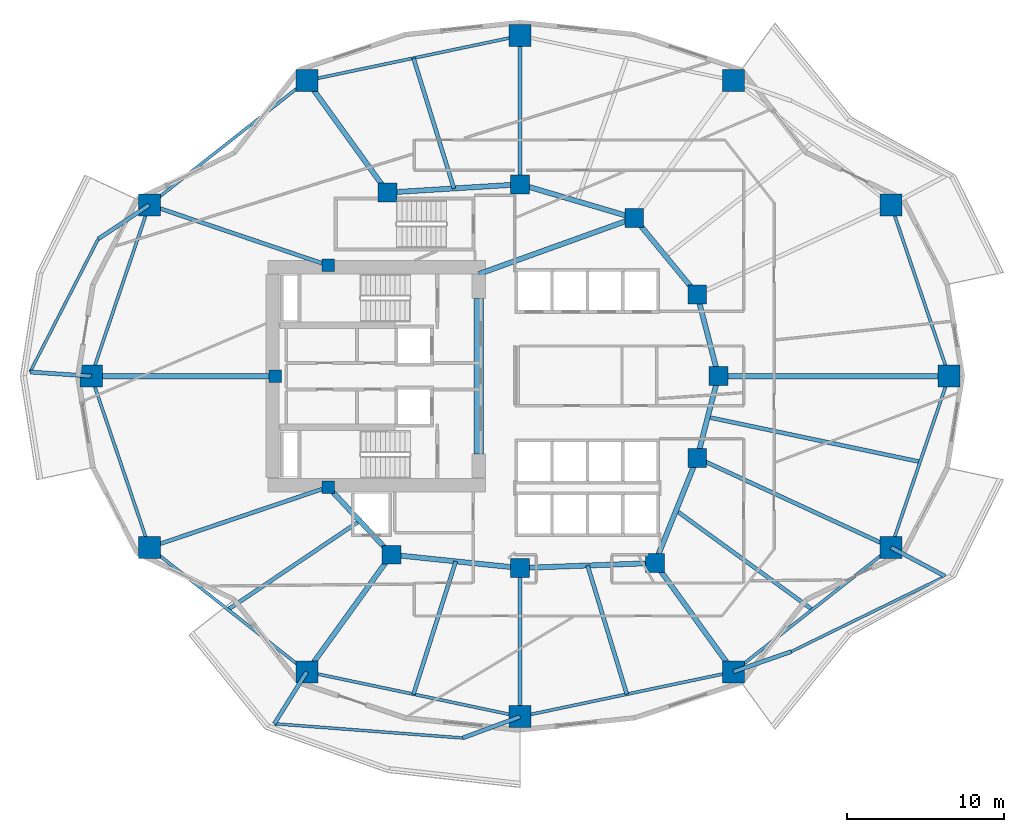
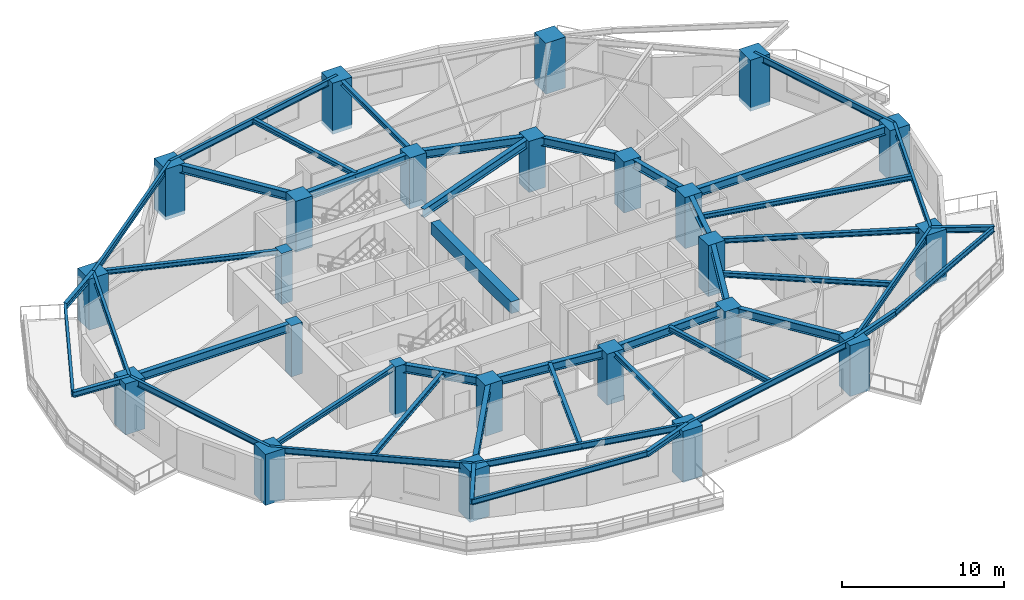
# One storey, part 1 of 14: 46 beams, 24 columns.
"""IFC4 building model written with IfcOpenShell, lengths in metres."""

import ifcopenshell
import ifcopenshell.guid

model = None  # the IFC model being written
_history = None  # IfcOwnerHistory: only IFC2X3 demands one
_inside = {}  # id of a spatial element -> (the spatial element, [elements in it])
_under = {}  # id of a project, library or spatial element -> (it, [spatial elements below it])
_declared = {}  # id of a project -> (the project, [libraries it declares])
_typed = {}  # id of a type object -> (the type object, [elements of that type])
_made_of = {}  # id of a material, layer set ... -> (it, [elements and type objects made of it])


def new_model(schema):
    """Start an empty IFC model of exactly this schema.

    Asked for "IFC4X3", IfcOpenShell would pick the latest addendum, in which some entities
    have other attributes; the version numbers below select the first issue.
    IFC2X3 requires an IfcOwnerHistory on every rooted entity: one is made here for all.
    """
    global model, _history
    if schema == "IFC4X3":
        model = ifcopenshell.file(schema_version=(4, 3, 0, 0))
    else:
        model = ifcopenshell.file(schema=schema)
    _inside.clear()
    _under.clear()
    _declared.clear()
    _typed.clear()
    _made_of.clear()
    _history = None
    if model.schema == "IFC2X3":
        org = make("IfcOrganization", Name="unknown")
        user = make(
            "IfcPersonAndOrganization",
            ThePerson=make("IfcPerson", FamilyName="unknown"),
            TheOrganization=org,
        )
        app = make(
            "IfcApplication",
            ApplicationDeveloper=org,
            Version="unknown",
            ApplicationFullName="unknown",
            ApplicationIdentifier="unknown",
        )
        _history = make(
            "IfcOwnerHistory",
            OwningUser=user,
            OwningApplication=app,
            ChangeAction="ADDED",
            CreationDate=0,
        )
    return model


def make(cls, **values):
    """One entity of the class cls with the attributes given. An attribute that is None is left unset."""
    return model.create_entity(
        cls, **{name: value for name, value in values.items() if value is not None}
    )


def rooted(cls, **values):
    """An entity with a GlobalId (a new one), such as an element, a storey or a relation."""
    return make(cls, GlobalId=ifcopenshell.guid.new(), OwnerHistory=_history, **values)


def si_unit(unit_type, name, prefix=None):
    """IfcSIUnit, for example si_unit("LENGTHUNIT", "METRE", prefix="MILLI")."""
    return make("IfcSIUnit", UnitType=unit_type, Prefix=prefix, Name=name)


def assignment(units):
    """IfcUnitAssignment: the units of a project."""
    return None if units is None else make("IfcUnitAssignment", Units=units)


def point(xyz):
    """IfcCartesianPoint."""
    return None if xyz is None else make("IfcCartesianPoint", Coordinates=xyz)


def direction(xyz):
    """IfcDirection."""
    return None if xyz is None else make("IfcDirection", DirectionRatios=xyz)


def frame(location, z_axis=None, x_axis=None):
    """IfcAxis2Placement3D, a coordinate frame: its origin and axes. An axis left out is left unset."""
    return make(
        "IfcAxis2Placement3D",
        Location=point(location),
        Axis=direction(z_axis),
        RefDirection=direction(x_axis),
    )


def frame_2d(location, x_axis=None):
    """IfcAxis2Placement2D, a coordinate frame in the plane: its origin and x axis."""
    return make(
        "IfcAxis2Placement2D", Location=point(location), RefDirection=direction(x_axis)
    )


def origin():
    """The frame at (0, 0, 0) with its axes left unset."""
    return frame((0.0, 0.0, 0.0))


def origin_2d():
    """The frame at (0, 0) in the plane with its x axis left unset."""
    return frame_2d((0.0, 0.0))


def place(relative_to, where):
    """IfcLocalPlacement: puts the frame where relative to a parent placement (None: the world)."""
    return make(
        "IfcLocalPlacement", PlacementRelTo=relative_to, RelativePlacement=where
    )


def context(
    kind, dimensions, precision=None, world=None, true_north=None, identifier=None
):
    """IfcGeometricRepresentationContext, for example the 3D "Model" context."""
    return make(
        "IfcGeometricRepresentationContext",
        ContextIdentifier=identifier,
        ContextType=kind,
        CoordinateSpaceDimension=dimensions,
        Precision=precision,
        WorldCoordinateSystem=world,
        TrueNorth=true_north,
    )


def subcontext(parent, identifier, kind, view, scale=None):
    """IfcGeometricRepresentationSubContext, for example "Body" below "Model"."""
    return make(
        "IfcGeometricRepresentationSubContext",
        ContextIdentifier=identifier,
        ContextType=kind,
        ParentContext=parent,
        TargetScale=scale,
        TargetView=view,
    )


def project(units=None, contexts=None):
    """IfcProject with its units and contexts."""
    return rooted(
        "IfcProject",
        Name="project",
        RepresentationContexts=contexts,
        UnitsInContext=assignment(units),
    )


def spatial(cls, under=None, at=None, **own):
    """A site, building, storey or space (cls), placed at a placement, below another one or the project."""
    s = rooted(cls, ObjectPlacement=at, **own)
    if under is not None:
        _under.setdefault(under.id(), (under, []))[1].append(s)
    return s


def profile(cls, at=None, kind="AREA", **sizes):
    """A parametric profile (cls). Its sizes go by their IFC names, for example OverallWidth=200.0."""
    return make(cls, ProfileType=kind, Position=at, **sizes)


def rectangle(**sizes):
    """IfcRectangleProfileDef."""
    return profile("IfcRectangleProfileDef", **sizes)


def i_section(**sizes):
    """IfcIShapeProfileDef."""
    return profile("IfcIShapeProfileDef", **sizes)


def extrude(swept, where, along, depth):
    """IfcExtrudedAreaSolid: the profile swept, set in the frame where, extruded along a direction by depth."""
    return make(
        "IfcExtrudedAreaSolid",
        SweptArea=swept,
        Position=where,
        ExtrudedDirection=direction(along),
        Depth=depth,
    )


def shape(context_of_items, identifier, shape_type, items):
    """IfcShapeRepresentation: the items that make up one representation, for example the "Body"."""
    return make(
        "IfcShapeRepresentation",
        ContextOfItems=context_of_items,
        RepresentationIdentifier=identifier,
        RepresentationType=shape_type,
        Items=items,
    )


def material(Name=None, Category=None):
    """IfcMaterial."""
    return make("IfcMaterial", Name=Name, Category=Category)


def material_profile(
    of_material, cross_section, Name=None, Category=None, Priority=None
):
    """IfcMaterialProfile: a cross section and its material."""
    return make(
        "IfcMaterialProfile",
        Name=Name,
        Material=of_material,
        Profile=cross_section,
        Priority=Priority,
        Category=Category,
    )


def profile_set(profiles, Name=None, composite=None):
    """IfcMaterialProfileSet."""
    return make(
        "IfcMaterialProfileSet",
        Name=Name,
        MaterialProfiles=profiles,
        CompositeProfile=composite,
    )


def made_of(thing, what):
    """Note that an element or type object is made of a material, layer set ...; save() writes the relation."""
    if what is not None:
        _made_of.setdefault(what.id(), (what, []))[1].append(thing)
    return thing


def type_object(cls, material=None, **own):
    """A type object (cls), such as IfcWallType, which elements share."""
    return made_of(rooted(cls, **own), material)


def element(
    cls,
    number,
    at=None,
    inside=None,
    cuts=None,
    type_object=None,
    material=None,
    context=None,
    identifier="Body",
    shape_type=None,
    held_by="IfcProductDefinitionShape",
    body=None,
    shapes=None,
    **own,
):
    """One element of the class cls, such as IfcWall. Its Tag is "e" and its number.

    at: its placement. inside: the storey or other place that contains it. cuts: it is an
    opening in that element (IfcRelVoidsElement). A single representation is given by context,
    identifier, shape_type and body (its items); several are given by shapes. held_by: the class
    of the entity that holds the representations. save() writes the other relations.
    """
    e = rooted(cls, Tag="e%d" % number, ObjectPlacement=at, **own)
    if body is not None:
        shapes = [shape(context, identifier, shape_type, body)]
    if shapes is not None:
        e.Representation = make(held_by, Representations=shapes)
    if inside is not None:
        _inside.setdefault(inside.id(), (inside, []))[1].append(e)
    if cuts is not None:
        rooted(
            "IfcRelVoidsElement", RelatingBuildingElement=cuts, RelatedOpeningElement=e
        )
    if type_object is not None:
        _typed.setdefault(type_object.id(), (type_object, []))[1].append(e)
    return made_of(e, material)


def aggregate(whole, parts):
    """IfcRelAggregates: a whole, such as a stair, and the parts it consists of."""
    return rooted("IfcRelAggregates", RelatingObject=whole, RelatedObjects=parts)


def save(model, path):
    """Write the relations noted so far, then the file.

    IfcRelAggregates (storeys below a building ...), IfcRelContainedInSpatialStructure (elements
    in a storey), IfcRelDefinesByType, IfcRelAssociatesMaterial and IfcRelDeclares: one each for
    every whole, place, type object, material and project.
    """
    for whole, parts in _under.values():
        aggregate(whole, parts)
    for where, things in _inside.values():
        rooted(
            "IfcRelContainedInSpatialStructure",
            RelatedElements=things,
            RelatingStructure=where,
        )
    for kind, things in _typed.values():
        rooted("IfcRelDefinesByType", RelatedObjects=things, RelatingType=kind)
    for what, things in _made_of.values():
        rooted("IfcRelAssociatesMaterial", RelatedObjects=things, RelatingMaterial=what)
    for by, libraries in _declared.values():
        rooted("IfcRelDeclares", RelatingContext=by, RelatedDefinitions=libraries)
    model.write(path)


model = new_model("IFC4")

# Units and contexts
model_context = context("Model", 3, precision=1e-05, world=origin(), true_north=direction((0.0, 1.0)))
body_context = subcontext(model_context, "Body", "Model", "MODEL_VIEW")
ifc_project = project(units=[si_unit("LENGTHUNIT", "METRE"), si_unit("AREAUNIT", "SQUARE_METRE"), si_unit("VOLUMEUNIT", "CUBIC_METRE"), si_unit("PLANEANGLEUNIT", "RADIAN"), si_unit("MASSUNIT", "GRAM", prefix="KILO")], contexts=[model_context])

# Site, building, storey
site_placement = place(None, origin())
site = spatial("IfcSite", under=ifc_project, at=site_placement, CompositionType="ELEMENT")
building_placement = place(site_placement, origin())
building = spatial("IfcBuilding", under=site, at=building_placement, Name="Kolvaren Gate Tower and Convention Centre", CompositionType="ELEMENT")
storey_placement = place(building_placement, frame((0.0, 0.0, 41.89990234375)))
storey = spatial("IfcBuildingStorey", under=building, at=storey_placement, Name="L09", CompositionType="ELEMENT", Elevation=41.89990234375)

# Columns
ifc_material_1 = material(Name="Concrete C70/85", Category="concrete")
ifc_material_profile_1 = material_profile(ifc_material_1, rectangle(XDim=1.199951171875, YDim=1.199951171875, at=origin_2d()), Name="RC-COL-1200X1200")
ifc_profile_set_1 = profile_set([ifc_material_profile_1], Name="Concrete C70/85")
column_type_1 = type_object("IfcColumnType", Name="STR-COL-RC1200", PredefinedType="COLUMN", material=ifc_profile_set_1)
for number, where, z_axis, x_axis, name in (
    (1, (42.72509765625, 27.0, -0.27978515625), (0.0, 0.0, 1.0), (1.0, 0.0, 0.0), "Tower L09 Interior Column TI-01"),
    (2, (41.382080078125, 32.199462890625, -0.27978515625), (0.0, 0.0, 1.0), (1.0, 0.0, 0.0), "Tower L09 Interior Column TI-02"),
    (3, (37.381591796875, 37.054931640625, -0.27978515625), (0.0, 0.0, 1.0), (1.0, 0.0, 0.0), "Tower L09 Interior Column TI-03"),
    (4, (30.125, 39.199951171875, -0.27978515625), (0.0, 0.0, 1.0), (1.0, 0.0, 0.0), "Tower L09 Interior Column TI-04"),
    (5, (21.697998046875, 38.6767578125, -0.27978515625), (0.0, 0.0, 1.0), (1.0, 0.0, 0.0), "Tower L09 Interior Column TI-05"),
    (6, (21.93212890625, 15.647705078125, -0.27978515625), (0.0, 0.0, 1.0), (1.0, 0.0, 0.0), "Tower L09 Interior Column TI-06"),
    (7, (30.125, 14.800048828125, -0.27978515625), (0.0, 0.0, 1.0), (1.0, 0.0, 0.0), "Tower L09 Interior Column TI-07"),
    (8, (38.6982421875, 15.12060546875, -0.27978515625), (0.0, 0.0, 1.0), (1.0, 0.0, 0.0), "Tower L09 Interior Column TI-08"),
    (9, (41.382080078125, 21.800537109375, -0.27978515625), (0.0, 0.0, 1.0), (1.0, 0.0, 0.0), "Tower L09 Interior Column TI-09"),
):
    element("IfcColumn", number, at=place(storey_placement, frame(where, z_axis=z_axis, x_axis=x_axis)), inside=storey, type_object=column_type_1, Name=name, PredefinedType="COLUMN", context=body_context, shape_type="SweptSolid", body=[
        extrude(rectangle(XDim=1.199951171875, YDim=1.199951171875, at=origin_2d()), origin(), (0.0, 0.0, 1.0), 3.849853515625),
    ])
ifc_material_profile_2 = material_profile(ifc_material_1, rectangle(XDim=1.39990234375, YDim=1.39990234375, at=origin_2d()), Name="RC-COL-1400X1400")
ifc_profile_set_2 = profile_set([ifc_material_profile_2], Name="Concrete C70/85")
column_type_2 = type_object("IfcColumnType", Name="STR-COL-RC1400", PredefinedType="COLUMN", material=ifc_profile_set_2)
for number, where, z_axis, x_axis, name in (
    (10, (57.39990234375, 27.0, -0.27978515625), (0.0, 0.0, 1.0), (1.0, 0.0, 0.0), "Tower L09 Perimeter Supercolumn TP-01"),
    (11, (53.710205078125, 37.8935546875, -0.27978515625), (0.0, 0.0, 1.0), (1.0, 0.0, 0.0), "Tower L09 Perimeter Supercolumn TP-02"),
    (12, (43.690185546875, 45.79638671875, -0.27978515625), (0.0, 0.0, 1.0), (1.0, 0.0, 0.0), "Tower L09 Perimeter Supercolumn TP-03"),
    (13, (30.125, 48.64990234375, -0.27978515625), (0.0, 0.0, 1.0), (1.0, 0.0, 0.0), "Tower L09 Perimeter Supercolumn TP-04"),
    (14, (16.559814453125, 45.79638671875, -0.27978515625), (0.0, 0.0, 1.0), (1.0, 0.0, 0.0), "Tower L09 Perimeter Supercolumn TP-05"),
    (15, (6.539794921875, 37.8935546875, -0.27978515625), (0.0, 0.0, 1.0), (1.0, 0.0, 0.0), "Tower L09 Perimeter Supercolumn TP-06"),
    (16, (2.85009765625, 27.0, -0.27978515625), (0.0, 0.0, 1.0), (1.0, 0.0, 0.0), "Tower L09 Perimeter Supercolumn TP-07"),
    (17, (6.539794921875, 16.1064453125, -0.27978515625), (0.0, 0.0, 1.0), (1.0, 0.0, 0.0), "Tower L09 Perimeter Supercolumn TP-08"),
    (18, (16.559814453125, 8.20361328125, -0.27978515625), (0.0, 0.0, 1.0), (1.0, 0.0, 0.0), "Tower L09 Perimeter Supercolumn TP-09"),
    (19, (30.125, 5.35009765625, -0.27978515625), (0.0, 0.0, 1.0), (1.0, 0.0, 0.0), "Tower L09 Perimeter Supercolumn TP-10"),
    (20, (43.690185546875, 8.20361328125, -0.27978515625), (0.0, 0.0, 1.0), (1.0, 0.0, 0.0), "Tower L09 Perimeter Supercolumn TP-11"),
    (21, (53.710205078125, 16.1064453125, -0.27978515625), (0.0, 0.0, 1.0), (1.0, 0.0, 0.0), "Tower L09 Perimeter Supercolumn TP-12"),
):
    element("IfcColumn", number, at=place(storey_placement, frame(where, z_axis=z_axis, x_axis=x_axis)), inside=storey, type_object=column_type_2, Name=name, PredefinedType="COLUMN", context=body_context, shape_type="SweptSolid", body=[
        extrude(rectangle(XDim=1.39990234375, YDim=1.39990234375, at=origin_2d()), origin(), (0.0, 0.0, 1.0), 3.849853515625),
    ])
ifc_material_2 = material(Name="Concrete C60/75", Category="concrete")
ifc_material_profile_3 = material_profile(ifc_material_2, rectangle(XDim=0.800048828125, YDim=0.800048828125, at=origin_2d()), Name="RC-COL-800X800")
ifc_profile_set_3 = profile_set([ifc_material_profile_3], Name="Concrete C60/75")
column_type_3 = type_object("IfcColumnType", Name="STR-PIL-RC800", PredefinedType="PILASTER", material=ifc_profile_set_3)
for number, where, z_axis, x_axis, name in (
    (22, (17.9140625, 34.050048828125, -0.27978515625), (0.0, 0.0, 1.0), (1.0, 0.0, 0.0), "Tower L09 Core Boundary Pilaster TC-05"),
    (23, (14.550048828125, 27.0, -0.27978515625), (0.0, 0.0, 1.0), (1.0, 0.0, 0.0), "Tower L09 Core Boundary Pilaster TC-06"),
    (24, (17.9140625, 19.949951171875, -0.27978515625), (0.0, 0.0, 1.0), (1.0, 0.0, 0.0), "Tower L09 Core Boundary Pilaster TC-07"),
):
    element("IfcColumn", number, at=place(storey_placement, frame(where, z_axis=z_axis, x_axis=x_axis)), inside=storey, type_object=column_type_3, Name=name, PredefinedType="PILASTER", context=body_context, shape_type="SweptSolid", body=[
        extrude(rectangle(XDim=0.800048828125, YDim=0.800048828125, at=origin_2d()), origin(), (0.0, 0.0, 1.0), 3.849853515625),
    ])

# Beams
ifc_material_3 = material(Name="Structural steel ASTM A992 Grade 345 MPa", Category="steel")
ifc_material_profile_4 = material_profile(ifc_material_3, i_section(OverallWidth=0.260009765625, OverallDepth=0.419921875, WebThickness=0.013427734375, FlangeThickness=0.0224609375, at=origin_2d()), Name="W410X132")
ifc_profile_set_4 = profile_set([ifc_material_profile_4], Name="Structural steel ASTM A992 Grade 345 MPa")
beam_type_1 = type_object("IfcBeamType", Name="STR-BM-W410X132", PredefinedType="BEAM", material=ifc_profile_set_4)
beam_1_placement = place(storey_placement, frame((6.539794921875, 37.8935546875, 3.360595703125), z_axis=(-0.831587723286, -0.555393426753, 0.0), x_axis=(0.555393426753, -0.831587723286, 0.0)))
element("IfcBeam", 25, at=beam_1_placement, inside=storey, type_object=beam_type_1, Name="Tower L10 Planted Balcony Outrigger Cantilever BC-2A", PredefinedType="BEAM", context=body_context, shape_type="SweptSolid", body=[
    extrude(i_section(OverallWidth=0.260009765625, OverallDepth=0.419921875, WebThickness=0.013427734375, FlangeThickness=0.0224609375, at=origin_2d()), origin(), (0.0, 0.0, 1.0), 3.89990234375),
])
beam_2_placement = place(storey_placement, frame((2.85009765625, 27.0, 3.360595703125), z_axis=(-0.997678089324, 0.068106020905, 0.0), x_axis=(-0.068106020905, -0.997678089324, 0.0)))
element("IfcBeam", 26, at=beam_2_placement, inside=storey, type_object=beam_type_1, Name="Tower L10 Planted Balcony Outrigger Cantilever BC-2B", PredefinedType="BEAM", context=body_context, shape_type="SweptSolid", body=[
    extrude(i_section(OverallWidth=0.260009765625, OverallDepth=0.419921875, WebThickness=0.013427734375, FlangeThickness=0.0224609375, at=origin_2d()), origin(), (0.0, 0.0, 1.0), 3.900146484375),
])
beam_3_placement = place(storey_placement, frame((16.559814453125, 8.20361328125, 3.360595703125), z_axis=(-0.529869507961, -0.848079185296, 0.0), x_axis=(0.848079185296, -0.529869507961, 0.0)))
element("IfcBeam", 27, at=beam_3_placement, inside=storey, type_object=beam_type_1, Name="Tower L10 Planted Balcony Outrigger Cantilever BC-3A", PredefinedType="BEAM", context=body_context, shape_type="SweptSolid", body=[
    extrude(i_section(OverallWidth=0.260009765625, OverallDepth=0.419921875, WebThickness=0.013427734375, FlangeThickness=0.0224609375, at=origin_2d()), origin(), (0.0, 0.0, 1.0), 3.89990234375),
])
beam_4_placement = place(storey_placement, frame((30.125, 5.35009765625, 3.360595703125), z_axis=(-0.937407757703, -0.348233679873, 0.0), x_axis=(0.348233679873, -0.937407757703, 0.0)))
element("IfcBeam", 28, at=beam_4_placement, inside=storey, type_object=beam_type_1, Name="Tower L10 Planted Balcony Outrigger Cantilever BC-3B", PredefinedType="BEAM", context=body_context, shape_type="SweptSolid", body=[
    extrude(i_section(OverallWidth=0.260009765625, OverallDepth=0.419921875, WebThickness=0.013427734375, FlangeThickness=0.0224609375, at=origin_2d()), origin(), (0.0, 0.0, 1.0), 3.900146484375),
])
beam_5_placement = place(storey_placement, frame((43.690185546875, 8.20361328125, 3.360595703125), z_axis=(0.943988090262, 0.329979522765, 0.0), x_axis=(-0.329979522765, 0.943988090262, 0.0)))
element("IfcBeam", 29, at=beam_5_placement, inside=storey, type_object=beam_type_1, Name="Tower L10 Planted Balcony Outrigger Cantilever BC-4A", PredefinedType="BEAM", context=body_context, shape_type="SweptSolid", body=[
    extrude(i_section(OverallWidth=0.260009765625, OverallDepth=0.419921875, WebThickness=0.013427734375, FlangeThickness=0.0224609375, at=origin_2d()), origin(), (0.0, 0.0, 1.0), 3.89990234375),
])
beam_6_placement = place(storey_placement, frame((53.710205078125, 16.1064453125, 3.360595703125), z_axis=(0.882875702385, -0.469606744136, 0.0), x_axis=(0.469606744136, 0.882875702385, 0.0)))
element("IfcBeam", 30, at=beam_6_placement, inside=storey, type_object=beam_type_1, Name="Tower L10 Planted Balcony Outrigger Cantilever BC-4B", PredefinedType="BEAM", context=body_context, shape_type="SweptSolid", body=[
    extrude(i_section(OverallWidth=0.260009765625, OverallDepth=0.419921875, WebThickness=0.013427734375, FlangeThickness=0.0224609375, at=origin_2d()), origin(), (0.0, 0.0, 1.0), 3.900146484375),
])
ifc_material_profile_5 = material_profile(ifc_material_3, i_section(OverallWidth=0.327880859375, OverallDepth=0.6279296875, WebThickness=0.0166015625, FlangeThickness=0.027587890625, at=origin_2d()), Name="W610X217")
ifc_profile_set_5 = profile_set([ifc_material_profile_5], Name="Structural steel ASTM A992 Grade 345 MPa")
beam_type_2 = type_object("IfcBeamType", Name="STR-BM-W610X217", PredefinedType="BEAM", material=ifc_profile_set_5)
beam_7_placement = place(storey_placement, frame((42.72509765625, 27.0, 3.256103515625), z_axis=(-0.250091133936, -0.968222301296, 0.0), x_axis=(0.968222301296, -0.250091133936, 0.0)))
element("IfcBeam", 31, at=beam_7_placement, inside=storey, type_object=beam_type_2, Name="Tower L09 Primary Ring Girder G-01", PredefinedType="BEAM", context=body_context, shape_type="SweptSolid", body=[
    extrude(i_section(OverallWidth=0.327880859375, OverallDepth=0.6279296875, WebThickness=0.0166015625, FlangeThickness=0.027587890625, at=origin_2d()), origin(), (0.0, 0.0, 1.0), 5.3701171875),
])
beam_8_placement = place(storey_placement, frame((41.382080078125, 32.199462890625, 3.256103515625), z_axis=(-0.635884066011, 0.771784590798, 0.0), x_axis=(-0.771784590798, -0.635884066011, 0.0)))
element("IfcBeam", 32, at=beam_8_placement, inside=storey, type_object=beam_type_2, Name="Tower L09 Primary Ring Girder G-02", PredefinedType="BEAM", context=body_context, shape_type="SweptSolid", body=[
    extrude(i_section(OverallWidth=0.327880859375, OverallDepth=0.6279296875, WebThickness=0.0166015625, FlangeThickness=0.027587890625, at=origin_2d()), origin(), (0.0, 0.0, 1.0), 6.291259765625),
])
beam_9_placement = place(storey_placement, frame((37.381591796875, 37.054931640625, 3.256103515625), z_axis=(-0.958980837827, 0.283470902706, 0.0), x_axis=(-0.283470902706, -0.958980837827, 0.0)))
element("IfcBeam", 33, at=beam_9_placement, inside=storey, type_object=beam_type_2, Name="Tower L09 Primary Ring Girder G-03", PredefinedType="BEAM", context=body_context, shape_type="SweptSolid", body=[
    extrude(i_section(OverallWidth=0.327880859375, OverallDepth=0.6279296875, WebThickness=0.0166015625, FlangeThickness=0.027587890625, at=origin_2d()), origin(), (0.0, 0.0, 1.0), 7.56689453125),
])
beam_10_placement = place(storey_placement, frame((30.125, 39.199951171875, 3.256103515625), z_axis=(-0.998078258568, -0.06196603726, 0.0), x_axis=(0.06196603726, -0.998078258568, 0.0)))
element("IfcBeam", 34, at=beam_10_placement, inside=storey, type_object=beam_type_2, Name="Tower L09 Primary Ring Girder G-04", PredefinedType="BEAM", context=body_context, shape_type="SweptSolid", body=[
    extrude(i_section(OverallWidth=0.327880859375, OverallDepth=0.6279296875, WebThickness=0.0166015625, FlangeThickness=0.027587890625, at=origin_2d()), origin(), (0.0, 0.0, 1.0), 8.443115234375),
])
beam_11_placement = place(storey_placement, frame((17.9140625, 19.949951171875, 3.256103515625), z_axis=(0.682557592987, -0.730831808459, 0.0), x_axis=(0.730831808459, 0.682557592987, 0.0)))
element("IfcBeam", 35, at=beam_11_placement, inside=storey, type_object=beam_type_2, Name="Tower L09 Primary Ring Girder G-06", PredefinedType="BEAM", context=body_context, shape_type="SweptSolid", body=[
    extrude(i_section(OverallWidth=0.327880859375, OverallDepth=0.6279296875, WebThickness=0.0166015625, FlangeThickness=0.027587890625, at=origin_2d()), origin(), (0.0, 0.0, 1.0), 5.88671875),
])
beam_12_placement = place(storey_placement, frame((21.93212890625, 15.647705078125, 3.256103515625), z_axis=(0.994690329115, -0.102913308978, 0.0), x_axis=(0.102913308978, 0.994690329115, 0.0)))
element("IfcBeam", 36, at=beam_12_placement, inside=storey, type_object=beam_type_2, Name="Tower L09 Primary Ring Girder G-07", PredefinedType="BEAM", context=body_context, shape_type="SweptSolid", body=[
    extrude(i_section(OverallWidth=0.327880859375, OverallDepth=0.6279296875, WebThickness=0.0166015625, FlangeThickness=0.027587890625, at=origin_2d()), origin(), (0.0, 0.0, 1.0), 8.236572265625),
])
beam_13_placement = place(storey_placement, frame((30.125, 14.800048828125, 3.256103515625), z_axis=(0.999301712453, 0.037364254142, 0.0), x_axis=(-0.037364254142, 0.999301712453, 0.0)))
element("IfcBeam", 37, at=beam_13_placement, inside=storey, type_object=beam_type_2, Name="Tower L09 Primary Ring Girder G-08", PredefinedType="BEAM", context=body_context, shape_type="SweptSolid", body=[
    extrude(i_section(OverallWidth=0.327880859375, OverallDepth=0.6279296875, WebThickness=0.0166015625, FlangeThickness=0.027587890625, at=origin_2d()), origin(), (0.0, 0.0, 1.0), 8.579345703125),
])
beam_14_placement = place(storey_placement, frame((38.6982421875, 15.12060546875, 3.256103515625), z_axis=(0.372811100169, 0.927907260232, 0.0), x_axis=(-0.927907260232, 0.372811100169, 0.0)))
element("IfcBeam", 38, at=beam_14_placement, inside=storey, type_object=beam_type_2, Name="Tower L09 Primary Ring Girder G-09", PredefinedType="BEAM", context=body_context, shape_type="SweptSolid", body=[
    extrude(i_section(OverallWidth=0.327880859375, OverallDepth=0.6279296875, WebThickness=0.0166015625, FlangeThickness=0.027587890625, at=origin_2d()), origin(), (0.0, 0.0, 1.0), 7.198974609375),
])
beam_15_placement = place(storey_placement, frame((27.5, 33.5, 3.256103515625), z_axis=(0.940961479908, 0.338513653093, 0.0), x_axis=(-0.338513653093, 0.940961479908, 0.0)))
element("IfcBeam", 39, at=beam_15_placement, inside=storey, type_object=beam_type_2, Name="Tower L09 Primary Ring Girder G-10", PredefinedType="BEAM", context=body_context, shape_type="SweptSolid", body=[
    extrude(i_section(OverallWidth=0.327880859375, OverallDepth=0.6279296875, WebThickness=0.0166015625, FlangeThickness=0.027587890625, at=origin_2d()), origin(), (0.0, 0.0, 1.0), 10.501708984375),
])
beam_16_placement = place(storey_placement, frame((42.72509765625, 27.0, 3.256103515625), z_axis=(-0.250091133936, 0.968222301296, 0.0), x_axis=(-0.968222301296, -0.250091133936, 0.0)))
element("IfcBeam", 40, at=beam_16_placement, inside=storey, type_object=beam_type_2, Name="Tower L09 Primary Ring Girder G-12", PredefinedType="BEAM", context=body_context, shape_type="SweptSolid", body=[
    extrude(i_section(OverallWidth=0.327880859375, OverallDepth=0.6279296875, WebThickness=0.0166015625, FlangeThickness=0.027587890625, at=origin_2d()), origin(), (0.0, 0.0, 1.0), 5.3701171875),
])
beam_17_placement = place(storey_placement, frame((42.72509765625, 27.0, 3.256103515625), z_axis=(1.0, 0.0, 0.0), x_axis=(0.0, 1.0, 0.0)))
element("IfcBeam", 41, at=beam_17_placement, inside=storey, type_object=beam_type_2, Name="Tower L09 Radial Floor Girder RB-01", PredefinedType="BEAM", context=body_context, shape_type="SweptSolid", body=[
    extrude(i_section(OverallWidth=0.327880859375, OverallDepth=0.6279296875, WebThickness=0.0166015625, FlangeThickness=0.027587890625, at=origin_2d()), origin(), (0.0, 0.0, 1.0), 14.6748046875),
])
beam_18_placement = place(storey_placement, frame((21.697998046875, 38.6767578125, 3.256103515625), z_axis=(-0.585208283095, 0.810883015852, 0.0), x_axis=(-0.810883015852, -0.585208283095, 0.0)))
element("IfcBeam", 42, at=beam_18_placement, inside=storey, type_object=beam_type_2, Name="Tower L09 Radial Floor Girder RB-05", PredefinedType="BEAM", context=body_context, shape_type="SweptSolid", body=[
    extrude(i_section(OverallWidth=0.327880859375, OverallDepth=0.6279296875, WebThickness=0.0166015625, FlangeThickness=0.027587890625, at=origin_2d()), origin(), (0.0, 0.0, 1.0), 8.780029296875),
])
beam_19_placement = place(storey_placement, frame((14.550048828125, 27.0, 3.256103515625), z_axis=(-1.0, 0.0, 0.0), x_axis=(0.0, -1.0, 0.0)))
element("IfcBeam", 43, at=beam_19_placement, inside=storey, type_object=beam_type_2, Name="Tower L09 Radial Floor Girder RB-07", PredefinedType="BEAM", context=body_context, shape_type="SweptSolid", body=[
    extrude(i_section(OverallWidth=0.327880859375, OverallDepth=0.6279296875, WebThickness=0.0166015625, FlangeThickness=0.027587890625, at=origin_2d()), origin(), (0.0, 0.0, 1.0), 11.699951171875),
])
beam_20_placement = place(storey_placement, frame((21.93212890625, 15.647705078125, 3.256103515625), z_axis=(-0.585206018873, -0.810884649919, 0.0), x_axis=(0.810884649919, -0.585206018873, 0.0)))
element("IfcBeam", 44, at=beam_20_placement, inside=storey, type_object=beam_type_2, Name="Tower L09 Radial Floor Girder RB-09", PredefinedType="BEAM", context=body_context, shape_type="SweptSolid", body=[
    extrude(i_section(OverallWidth=0.327880859375, OverallDepth=0.6279296875, WebThickness=0.0166015625, FlangeThickness=0.027587890625, at=origin_2d()), origin(), (0.0, 0.0, 1.0), 9.18017578125),
])
beam_21_placement = place(storey_placement, frame((38.6982421875, 15.12060546875, 3.256103515625), z_axis=(0.585208374732, -0.810882949718, 0.0), x_axis=(0.810882949718, 0.585208374732, 0.0)))
element("IfcBeam", 45, at=beam_21_placement, inside=storey, type_object=beam_type_2, Name="Tower L09 Radial Floor Girder RB-11", PredefinedType="BEAM", context=body_context, shape_type="SweptSolid", body=[
    extrude(i_section(OverallWidth=0.327880859375, OverallDepth=0.6279296875, WebThickness=0.0166015625, FlangeThickness=0.027587890625, at=origin_2d()), origin(), (0.0, 0.0, 1.0), 8.5302734375),
])
ifc_material_profile_6 = material_profile(ifc_material_3, i_section(OverallWidth=0.2548828125, OverallDepth=0.35693359375, WebThickness=0.010498046875, FlangeThickness=0.018310546875, at=origin_2d()), Name="W360X101")
ifc_profile_set_6 = profile_set([ifc_material_profile_6], Name="Structural steel ASTM A992 Grade 345 MPa")
beam_type_3 = type_object("IfcBeamType", Name="STR-JS-W360X101", PredefinedType="JOIST", material=ifc_profile_set_6)
beam_22_placement = place(storey_placement, frame((30.125, 39.199951171875, 3.3916015625), z_axis=(0.0, 1.0, 0.0), x_axis=(-1.0, 0.0, 0.0)))
element("IfcBeam", 46, at=beam_22_placement, inside=storey, type_object=beam_type_3, Name="Tower L09 Radial Floor Girder RB-04", PredefinedType="JOIST", context=body_context, shape_type="SweptSolid", body=[
    extrude(i_section(OverallWidth=0.2548828125, OverallDepth=0.35693359375, WebThickness=0.010498046875, FlangeThickness=0.018310546875, at=origin_2d()), origin(), (0.0, 0.0, 1.0), 9.449951171875),
])
for number, where, z_axis, x_axis, name in (
    (47, (17.9140625, 34.050048828125, 3.3916015625), (-0.947373842609, 0.320129352512, 0.0), (-0.320129352512, -0.947373842609, 0.0), "Tower L09 Radial Floor Girder RB-06"),
    (48, (17.9140625, 19.949951171875, 3.3916015625), (-0.947373842609, -0.320129352512, 0.0), (0.320129352512, -0.947373842609, 0.0), "Tower L09 Radial Floor Girder RB-08"),
):
    element("IfcBeam", number, at=place(storey_placement, frame(where, z_axis=z_axis, x_axis=x_axis)), inside=storey, type_object=beam_type_3, Name=name, PredefinedType="JOIST", context=body_context, shape_type="SweptSolid", body=[
        extrude(i_section(OverallWidth=0.2548828125, OverallDepth=0.35693359375, WebThickness=0.010498046875, FlangeThickness=0.018310546875, at=origin_2d()), origin(), (0.0, 0.0, 1.0), 12.006103515625),
    ])
beam_23_placement = place(storey_placement, frame((30.125, 14.800048828125, 3.3916015625), z_axis=(0.0, -1.0, 0.0), x_axis=(1.0, 0.0, 0.0)))
element("IfcBeam", 49, at=beam_23_placement, inside=storey, type_object=beam_type_3, Name="Tower L09 Radial Floor Girder RB-10", PredefinedType="JOIST", context=body_context, shape_type="SweptSolid", body=[
    extrude(i_section(OverallWidth=0.2548828125, OverallDepth=0.35693359375, WebThickness=0.010498046875, FlangeThickness=0.018310546875, at=origin_2d()), origin(), (0.0, 0.0, 1.0), 9.449951171875),
])
beam_24_placement = place(storey_placement, frame((41.382080078125, 21.800537109375, 3.3916015625), z_axis=(0.907842006347, -0.419312403241, 0.0), x_axis=(0.419312403241, 0.907842006347, 0.0)))
element("IfcBeam", 50, at=beam_24_placement, inside=storey, type_object=beam_type_3, Name="Tower L09 Radial Floor Girder RB-12", PredefinedType="JOIST", context=body_context, shape_type="SweptSolid", body=[
    extrude(i_section(OverallWidth=0.2548828125, OverallDepth=0.35693359375, WebThickness=0.010498046875, FlangeThickness=0.018310546875, at=origin_2d()), origin(), (0.0, 0.0, 1.0), 13.57958984375),
])
beam_25_placement = place(storey_placement, frame((25.91162109375, 38.938232421875, 3.3916015625), z_axis=(-0.296205333134, 0.955124285433, 0.0), x_axis=(-0.955124285433, -0.296205333134, 0.0)))
element("IfcBeam", 51, at=beam_25_placement, inside=storey, type_object=beam_type_3, Name="Tower L09 Secondary Composite Floor Joist J-04.1", PredefinedType="JOIST", context=body_context, shape_type="SweptSolid", body=[
    extrude(i_section(OverallWidth=0.2548828125, OverallDepth=0.35693359375, WebThickness=0.010498046875, FlangeThickness=0.018310546875, at=origin_2d()), origin(), (0.0, 0.0, 1.0), 8.674072265625),
])
beam_26_placement = place(storey_placement, frame((19.923095703125, 17.798828125, 3.3916015625), z_axis=(-0.829223797874, -0.558916713866, 0.0), x_axis=(0.558916713866, -0.829223797874, 0.0)))
element("IfcBeam", 52, at=beam_26_placement, inside=storey, type_object=beam_type_3, Name="Tower L09 Secondary Composite Floor Joist J-08.1", PredefinedType="JOIST", context=body_context, shape_type="SweptSolid", body=[
    extrude(i_section(OverallWidth=0.2548828125, OverallDepth=0.35693359375, WebThickness=0.010498046875, FlangeThickness=0.018310546875, at=origin_2d()), origin(), (0.0, 0.0, 1.0), 10.09765625),
])
beam_27_placement = place(storey_placement, frame((26.028564453125, 15.223876953125, 3.3916015625), z_axis=(-0.303059270932, -0.952971709078, 0.0), x_axis=(0.952971709078, -0.303059270932, 0.0)))
element("IfcBeam", 53, at=beam_27_placement, inside=storey, type_object=beam_type_3, Name="Tower L09 Secondary Composite Floor Joist J-09.1", PredefinedType="JOIST", context=body_context, shape_type="SweptSolid", body=[
    extrude(i_section(OverallWidth=0.2548828125, OverallDepth=0.35693359375, WebThickness=0.010498046875, FlangeThickness=0.018310546875, at=origin_2d()), origin(), (0.0, 0.0, 1.0), 8.86376953125),
])
beam_28_placement = place(storey_placement, frame((34.41162109375, 14.960205078125, 3.3916015625), z_axis=(0.291750890749, -0.956494337541, 0.0), x_axis=(0.956494337541, 0.291750890749, 0.0)))
element("IfcBeam", 54, at=beam_28_placement, inside=storey, type_object=beam_type_3, Name="Tower L09 Secondary Composite Floor Joist J-10.1", PredefinedType="JOIST", context=body_context, shape_type="SweptSolid", body=[
    extrude(i_section(OverallWidth=0.2548828125, OverallDepth=0.35693359375, WebThickness=0.010498046875, FlangeThickness=0.018310546875, at=origin_2d()), origin(), (0.0, 0.0, 1.0), 8.5556640625),
])
beam_29_placement = place(storey_placement, frame((40.040283203125, 18.46044921875, 3.3916015625), z_axis=(0.808411716387, -0.588617445212, 0.0), x_axis=(0.588617445212, 0.808411716387, 0.0)))
element("IfcBeam", 55, at=beam_29_placement, inside=storey, type_object=beam_type_3, Name="Tower L09 Secondary Composite Floor Joist J-11.1", PredefinedType="JOIST", context=body_context, shape_type="SweptSolid", body=[
    extrude(i_section(OverallWidth=0.2548828125, OverallDepth=0.35693359375, WebThickness=0.010498046875, FlangeThickness=0.018310546875, at=origin_2d()), origin(), (0.0, 0.0, 1.0), 10.712158203125),
])
beam_30_placement = place(storey_placement, frame((42.0537109375, 24.400146484375, 3.3916015625), z_axis=(0.978483842038, -0.206323461756, 0.0), x_axis=(0.206323461756, 0.978483842038, 0.0)))
element("IfcBeam", 56, at=beam_30_placement, inside=storey, type_object=beam_type_3, Name="Tower L09 Secondary Composite Floor Joist J-12.1", PredefinedType="JOIST", context=body_context, shape_type="SweptSolid", body=[
    extrude(i_section(OverallWidth=0.2548828125, OverallDepth=0.35693359375, WebThickness=0.010498046875, FlangeThickness=0.018310546875, at=origin_2d()), origin(), (0.0, 0.0, 1.0), 13.79833984375),
])
ifc_material_profile_7 = material_profile(ifc_material_2, rectangle(XDim=0.60009765625, YDim=0.89990234375, at=origin_2d()), Name="RC-BM-600X900")
ifc_profile_set_7 = profile_set([ifc_material_profile_7], Name="Concrete C60/75")
beam_type_4 = type_object("IfcBeamType", Name="STR-LN-RC600X900", PredefinedType="LINTEL", material=ifc_profile_set_7)
beam_31_placement = place(storey_placement, frame((27.5, 22.050048828125, 3.1201171875), z_axis=(0.0, 1.0, 0.0), x_axis=(-1.0, 0.0, 0.0)))
element("IfcBeam", 57, at=beam_31_placement, inside=storey, type_object=beam_type_4, Name="Tower L09 Core Ductile Coupling Beam CB-01", PredefinedType="LINTEL", context=body_context, shape_type="SweptSolid", body=[
    extrude(rectangle(XDim=0.60009765625, YDim=0.89990234375, at=origin_2d()), origin(), (0.0, 0.0, 1.0), 9.89990234375),
])
ifc_material_profile_8 = material_profile(ifc_material_3, i_section(OverallWidth=0.180908203125, OverallDepth=0.4169921875, WebThickness=0.010986328125, FlangeThickness=0.018310546875, at=origin_2d()), Name="W410X85")
ifc_profile_set_8 = profile_set([ifc_material_profile_8], Name="Structural steel ASTM A992 Grade 345 MPa")
beam_type_5 = type_object("IfcBeamType", Name="STR-SP-W410X85", PredefinedType="SPANDREL", material=ifc_profile_set_8)
beam_32_placement = place(storey_placement, frame((3.296630859375, 35.7275390625, 3.362060546875), z_axis=(-0.456167042061, -0.889894167717, 0.0), x_axis=(0.889894167717, -0.456167042061, 0.0)))
element("IfcBeam", 58, at=beam_32_placement, inside=storey, type_object=beam_type_5, Name="Tower L10 Planted Balcony Header Tie Beam BT-2", PredefinedType="SPANDREL", context=body_context, shape_type="SweptSolid", body=[
    extrude(i_section(OverallWidth=0.180908203125, OverallDepth=0.4169921875, WebThickness=0.010986328125, FlangeThickness=0.018310546875, at=origin_2d()), origin(), (0.0, 0.0, 1.0), 9.5087890625),
])
beam_33_placement = place(storey_placement, frame((14.493408203125, 4.896240234375, 3.362060546875), z_axis=(0.997161126169, -0.075297333673, 0.0), x_axis=(0.075297333673, 0.997161126169, 0.0)))
element("IfcBeam", 59, at=beam_33_placement, inside=storey, type_object=beam_type_5, Name="Tower L10 Planted Balcony Header Tie Beam BT-3", PredefinedType="SPANDREL", context=body_context, shape_type="SweptSolid", body=[
    extrude(i_section(OverallWidth=0.180908203125, OverallDepth=0.4169921875, WebThickness=0.010986328125, FlangeThickness=0.018310546875, at=origin_2d()), origin(), (0.0, 0.0, 1.0), 12.009765625),
])
beam_34_placement = place(storey_placement, frame((47.37158203125, 9.490478515625, 3.362060546875), z_axis=(0.898307480686, 0.43936735216, 0.0), x_axis=(-0.43936735216, 0.898307480686, 0.0)))
element("IfcBeam", 60, at=beam_34_placement, inside=storey, type_object=beam_type_5, Name="Tower L10 Planted Balcony Header Tie Beam BT-4", PredefinedType="SPANDREL", context=body_context, shape_type="SweptSolid", body=[
    extrude(i_section(OverallWidth=0.180908203125, OverallDepth=0.4169921875, WebThickness=0.010986328125, FlangeThickness=0.018310546875, at=origin_2d()), origin(), (0.0, 0.0, 1.0), 10.889404296875),
])
ifc_material_profile_9 = material_profile(ifc_material_3, i_section(OverallWidth=0.194091796875, OverallDepth=0.468994140625, WebThickness=0.0126953125, FlangeThickness=0.0205078125, at=origin_2d()), Name="W460X106")
ifc_profile_set_9 = profile_set([ifc_material_profile_9], Name="Structural steel ASTM A992 Grade 345 MPa")
beam_type_6 = type_object("IfcBeamType", Name="STR-SP-W460X106", PredefinedType="SPANDREL", material=ifc_profile_set_9)
beam_35_placement = place(storey_placement, frame((57.39990234375, 27.0, 3.335693359375), z_axis=(-0.320802733798, 0.947146032029, 0.0), x_axis=(-0.947146032029, -0.320802733798, 0.0)))
element("IfcBeam", 61, at=beam_35_placement, inside=storey, type_object=beam_type_6, Name="Tower L09 Perimeter Spandrel Beam SP-01", PredefinedType="SPANDREL", context=body_context, shape_type="SweptSolid", body=[
    extrude(i_section(OverallWidth=0.194091796875, OverallDepth=0.468994140625, WebThickness=0.0126953125, FlangeThickness=0.0205078125, at=origin_2d()), origin(), (0.0, 0.0, 1.0), 11.50146484375),
])
beam_36_placement = place(storey_placement, frame((30.125, 48.64990234375, 3.335693359375), z_axis=(-0.978583407863, -0.205850707685, 0.0), x_axis=(0.205850707685, -0.978583407863, 0.0)))
element("IfcBeam", 62, at=beam_36_placement, inside=storey, type_object=beam_type_6, Name="Tower L09 Perimeter Spandrel Beam SP-04", PredefinedType="SPANDREL", context=body_context, shape_type="SweptSolid", body=[
    extrude(i_section(OverallWidth=0.194091796875, OverallDepth=0.468994140625, WebThickness=0.0126953125, FlangeThickness=0.0205078125, at=origin_2d()), origin(), (0.0, 0.0, 1.0), 13.862060546875),
])
beam_37_placement = place(storey_placement, frame((16.559814453125, 45.79638671875, 3.335693359375), z_axis=(-0.785176498861, -0.619272044933, 0.0), x_axis=(0.619272044933, -0.785176498861, 0.0)))
element("IfcBeam", 63, at=beam_37_placement, inside=storey, type_object=beam_type_6, Name="Tower L09 Perimeter Spandrel Beam SP-05", PredefinedType="SPANDREL", context=body_context, shape_type="SweptSolid", body=[
    extrude(i_section(OverallWidth=0.194091796875, OverallDepth=0.468994140625, WebThickness=0.0126953125, FlangeThickness=0.0205078125, at=origin_2d()), origin(), (0.0, 0.0, 1.0), 12.761474609375),
])
for number, where, z_axis, x_axis, name in (
    (64, (6.539794921875, 37.8935546875, 3.335693359375), (-0.320802733798, -0.947146032029, 0.0), (0.947146032029, -0.320802733798, 0.0), "Tower L09 Perimeter Spandrel Beam SP-06"),
    (65, (2.85009765625, 27.0, 3.335693359375), (0.320802733798, -0.947146032029, 0.0), (0.947146032029, 0.320802733798, 0.0), "Tower L09 Perimeter Spandrel Beam SP-07"),
):
    element("IfcBeam", number, at=place(storey_placement, frame(where, z_axis=z_axis, x_axis=x_axis)), inside=storey, type_object=beam_type_6, Name=name, PredefinedType="SPANDREL", context=body_context, shape_type="SweptSolid", body=[
        extrude(i_section(OverallWidth=0.194091796875, OverallDepth=0.468994140625, WebThickness=0.0126953125, FlangeThickness=0.0205078125, at=origin_2d()), origin(), (0.0, 0.0, 1.0), 11.50146484375),
    ])
beam_38_placement = place(storey_placement, frame((6.539794921875, 16.1064453125, 3.335693359375), z_axis=(0.785176498861, -0.619272044933, 0.0), x_axis=(0.619272044933, 0.785176498861, 0.0)))
element("IfcBeam", 66, at=beam_38_placement, inside=storey, type_object=beam_type_6, Name="Tower L09 Perimeter Spandrel Beam SP-08", PredefinedType="SPANDREL", context=body_context, shape_type="SweptSolid", body=[
    extrude(i_section(OverallWidth=0.194091796875, OverallDepth=0.468994140625, WebThickness=0.0126953125, FlangeThickness=0.0205078125, at=origin_2d()), origin(), (0.0, 0.0, 1.0), 12.761474609375),
])
for number, where, z_axis, x_axis, name in (
    (67, (16.559814453125, 8.20361328125, 3.335693359375), (0.978583407863, -0.205850707685, 0.0), (0.205850707685, 0.978583407863, 0.0), "Tower L09 Perimeter Spandrel Beam SP-09"),
    (68, (30.125, 5.35009765625, 3.335693359375), (0.978583407863, 0.205850707685, 0.0), (-0.205850707685, 0.978583407863, 0.0), "Tower L09 Perimeter Spandrel Beam SP-10"),
):
    element("IfcBeam", number, at=place(storey_placement, frame(where, z_axis=z_axis, x_axis=x_axis)), inside=storey, type_object=beam_type_6, Name=name, PredefinedType="SPANDREL", context=body_context, shape_type="SweptSolid", body=[
        extrude(i_section(OverallWidth=0.194091796875, OverallDepth=0.468994140625, WebThickness=0.0126953125, FlangeThickness=0.0205078125, at=origin_2d()), origin(), (0.0, 0.0, 1.0), 13.862060546875),
    ])
beam_39_placement = place(storey_placement, frame((43.690185546875, 8.20361328125, 3.335693359375), z_axis=(0.785176498861, 0.619272044933, 0.0), x_axis=(-0.619272044933, 0.785176498861, 0.0)))
element("IfcBeam", 69, at=beam_39_placement, inside=storey, type_object=beam_type_6, Name="Tower L09 Perimeter Spandrel Beam SP-11", PredefinedType="SPANDREL", context=body_context, shape_type="SweptSolid", body=[
    extrude(i_section(OverallWidth=0.194091796875, OverallDepth=0.468994140625, WebThickness=0.0126953125, FlangeThickness=0.0205078125, at=origin_2d()), origin(), (0.0, 0.0, 1.0), 12.761474609375),
])
beam_40_placement = place(storey_placement, frame((53.710205078125, 16.1064453125, 3.335693359375), z_axis=(0.320802733798, 0.947146032029, 0.0), x_axis=(-0.947146032029, 0.320802733798, 0.0)))
element("IfcBeam", 70, at=beam_40_placement, inside=storey, type_object=beam_type_6, Name="Tower L09 Perimeter Spandrel Beam SP-12", PredefinedType="SPANDREL", context=body_context, shape_type="SweptSolid", body=[
    extrude(i_section(OverallWidth=0.194091796875, OverallDepth=0.468994140625, WebThickness=0.0126953125, FlangeThickness=0.0205078125, at=origin_2d()), origin(), (0.0, 0.0, 1.0), 11.50146484375),
])

save(model, "model.ifc")
